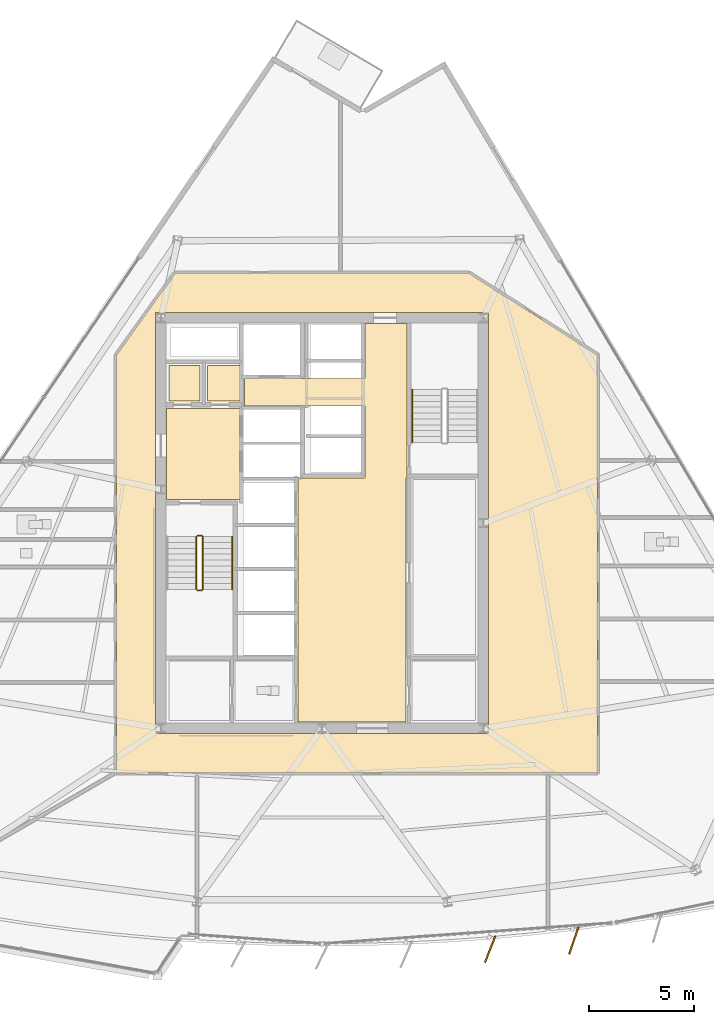
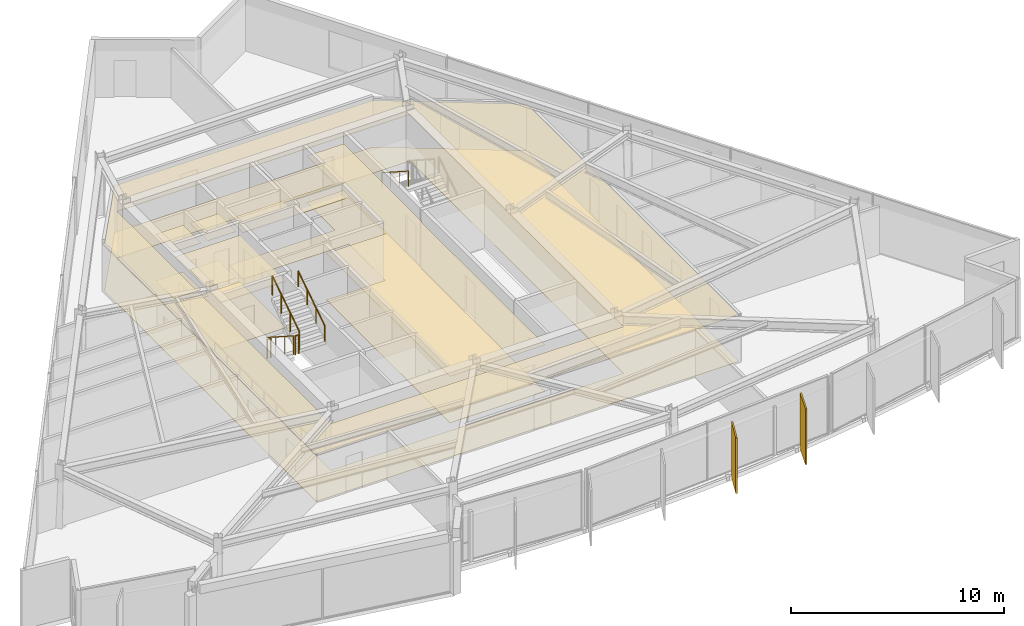
# One storey, part 13 of 16: 10 coverings, 6 railings, 2 shading devices.
"""IFC4 building model written with IfcOpenShell, lengths in metres."""

from ifc_helpers import new_model, si_unit, direction, frame, origin, origin_2d, place, context, subcontext, project, spatial, polyline, rectangle, circle, outline, extrude, material, layer, layer_set, type_object, element, save


model = new_model("IFC4")

# Units and contexts
model_context = context("Model", 3, precision=1e-05, world=origin(), true_north=direction((0.0, 1.0)))
body_context = subcontext(model_context, "Body", "Model", "MODEL_VIEW")
ifc_project = project(units=[si_unit("LENGTHUNIT", "METRE"), si_unit("AREAUNIT", "SQUARE_METRE"), si_unit("VOLUMEUNIT", "CUBIC_METRE"), si_unit("PLANEANGLEUNIT", "RADIAN"), si_unit("MASSUNIT", "GRAM", prefix="KILO")], contexts=[model_context])

# Site, building, storey
site_placement = place(None, origin())
site = spatial("IfcSite", under=ifc_project, at=site_placement, CompositionType="ELEMENT")
building_placement = place(site_placement, origin())
building = spatial("IfcBuilding", under=site, at=building_placement, Name="Savorim Split Tower", CompositionType="ELEMENT")
storey_placement = place(building_placement, frame((0.0, 0.0, 153.0)))
storey = spatial("IfcBuildingStorey", under=building, at=storey_placement, Name="L40", CompositionType="ELEMENT", Elevation=153.0)

# Coverings
ifc_material_1 = material(Name="Mineral Fibre Acoustic Ceiling")
ifc_layer_1 = layer(ifc_material_1, 0.02490234375)
ifc_layer_set_1 = layer_set([ifc_layer_1], Name="COV-CEIL-25")
covering_type_1 = type_object("IfcCoveringType", Name="COV-CEIL-25", PredefinedType="CEILING", material=ifc_layer_set_1)
covering_1_placement = place(storey_placement, frame((0.0, 0.0, 2.669921875)))
element("IfcCovering", 1, at=covering_1_placement, inside=storey, type_object=covering_type_1, Name="L40 Firefighting Lift Lobby Acoustic Ceiling", PredefinedType="CEILING", context=body_context, shape_type="SweptSolid", body=[
    extrude(outline(polyline([(-7.429931640625, 5.8701171875), (-7.429931640625, 1.530029296875), (-3.929931640625, 1.530029296875), (-3.929931640625, 5.8701171875), (-7.429931640625, 5.8701171875)])), origin(), (0.0, 0.0, 1.0), 0.025146484375),
])
covering_2_placement = place(storey_placement, frame((0.0, 0.0, 2.669921875)))
element("IfcCovering", 2, at=covering_2_placement, inside=storey, type_object=covering_type_1, Name="L40 Electrical Riser Acoustic Ceiling", PredefinedType="CEILING", context=body_context, shape_type="SweptSolid", body=[
    extrude(outline(polyline([(-7.320068359375, 7.919921875), (-7.320068359375, 6.22998046875), (-5.830078125, 6.22998046875), (-5.830078125, 7.919921875), (-7.320068359375, 7.919921875)])), origin(), (0.0, 0.0, 1.0), 0.025146484375),
])
covering_3_placement = place(storey_placement, frame((0.0, 0.0, 2.669921875)))
element("IfcCovering", 3, at=covering_3_placement, inside=storey, type_object=covering_type_1, Name="L40 Telecom Riser Acoustic Ceiling", PredefinedType="CEILING", context=body_context, shape_type="SweptSolid", body=[
    extrude(outline(polyline([(-5.469970703125, 7.919921875), (-5.469970703125, 6.22998046875), (-3.929931640625, 6.22998046875), (-3.929931640625, 7.919921875), (-5.469970703125, 7.919921875)])), origin(), (0.0, 0.0, 1.0), 0.025146484375),
])
covering_4_placement = place(storey_placement, frame((0.0, 0.0, 2.669921875)))
element("IfcCovering", 4, at=covering_4_placement, inside=storey, type_object=covering_type_1, Name="L40 Lift Lobby Acoustic Ceiling", PredefinedType="CEILING", context=body_context, shape_type="SweptSolid", body=[
    extrude(outline(polyline([(2.050048828125, 2.550048828125), (-1.14990234375, 2.550048828125), (-1.14990234375, -9.10009765625), (4.0, -9.10009765625), (4.0, 2.550048828125), (4.050048828125, 2.550048828125), (4.050048828125, 5.97998046875), (4.050048828125, 7.300048828125), (4.050048828125, 9.929931640625), (2.050048828125, 9.929931640625), (2.050048828125, 7.300048828125), (-3.699951171875, 7.300048828125), (-3.699951171875, 5.97998046875), (2.050048828125, 5.97998046875), (2.050048828125, 2.550048828125)])), origin(), (0.0, 0.0, 1.0), 0.025146484375),
])
covering_5_placement = place(storey_placement, frame((0.0, 0.0, 2.669921875)))
element("IfcCovering", 5, at=covering_5_placement, inside=storey, type_object=covering_type_1, Name="L40 Corridor Acoustic Ceiling", PredefinedType="CEILING", context=body_context, shape_type="SweptSolid", body=[
    extrude(outline(polyline([(7.009521484375, 12.3291015625), (7.004638671875, 12.329833984375), (7.0, 12.330078125), (-7.0, 12.330078125), (-7.004638671875, 12.329833984375), (-7.009521484375, 12.3291015625), (-7.013916015625, 12.327880859375), (-7.0185546875, 12.326416015625), (-7.022705078125, 12.324462890625), (-7.027099609375, 12.322021484375), (-7.03076171875, 12.3193359375), (-7.034423828125, 12.31640625), (-7.03759765625, 12.312744140625), (-7.04052734375, 12.30908203125), (-9.820556640625, 8.42919921875), (-9.823486328125, 8.4248046875), (-9.82568359375, 8.420166015625), (-9.82763671875, 8.415283203125), (-9.828857421875, 8.410400390625), (-9.82958984375, 8.4052734375), (-9.830078125, 8.39990234375), (-9.830078125, -11.47998046875), (-9.829833984375, -11.48486328125), (-9.8291015625, -11.48974609375), (-9.827880859375, -11.494384765625), (-9.826171875, -11.4990234375), (-9.82421875, -11.503662109375), (-9.821533203125, -11.5078125), (-9.818603515625, -11.51171875), (-9.8154296875, -11.515380859375), (-9.811767578125, -11.518798828125), (-9.807861328125, -11.521484375), (-9.8037109375, -11.524169921875), (-9.799072265625, -11.526123046875), (-9.79443359375, -11.52783203125), (-9.789794921875, -11.529052734375), (-9.784912109375, -11.52978515625), (-9.780029296875, -11.530029296875), (13.10009765625, -11.530029296875), (13.10498046875, -11.52978515625), (13.10986328125, -11.529052734375), (13.114501953125, -11.52783203125), (13.119140625, -11.526123046875), (13.12353515625, -11.524169921875), (13.127685546875, -11.521484375), (13.131591796875, -11.518798828125), (13.135498046875, -11.515380859375), (13.138671875, -11.51171875), (13.1416015625, -11.5078125), (13.14404296875, -11.503662109375), (13.146240234375, -11.4990234375), (13.147705078125, -11.494384765625), (13.14892578125, -11.48974609375), (13.14990234375, -11.48486328125), (13.14990234375, -11.47998046875), (13.14990234375, 8.39990234375), (13.149658203125, 8.405029296875), (13.14892578125, 8.409912109375), (13.147705078125, 8.414794921875), (13.14599609375, 8.41943359375), (13.143798828125, 8.424072265625), (13.14111328125, 8.42822265625), (13.13818359375, 8.432373046875), (13.134765625, 8.43603515625), (13.130859375, 8.439208984375), (13.126708984375, 8.442138671875), (7.02685546875, 12.322265625), (7.022705078125, 12.324462890625), (7.018310546875, 12.326416015625), (7.013916015625, 12.327880859375), (7.009521484375, 12.3291015625)]), holes=[polyline([(-7.949951171875, 10.449951171875), (-7.949951171875, -9.64990234375), (7.949951171875, -9.64990234375), (7.949951171875, 10.449951171875), (-7.949951171875, 10.449951171875)])]), origin(), (0.0, 0.0, 1.0), 0.025146484375),
])
ifc_material_2 = material(Name="Porcelain Stoneware Flooring", Category="masonry")
ifc_layer_2 = layer(ifc_material_2, 0.02001953125)
ifc_layer_set_2 = layer_set([ifc_layer_2], Name="COV-FLOR-20")
covering_type_2 = type_object("IfcCoveringType", Name="COV-FLOR-20", PredefinedType="FLOORING", material=ifc_layer_set_2)
covering_6_placement = place(storey_placement, origin())
element("IfcCovering", 6, at=covering_6_placement, inside=storey, type_object=covering_type_2, Name="L40 Firefighting Lift Lobby Porcelain Flooring", PredefinedType="FLOORING", context=body_context, shape_type="SweptSolid", body=[
    extrude(outline(polyline([(-7.429931640625, 5.8701171875), (-7.429931640625, 1.530029296875), (-3.929931640625, 1.530029296875), (-3.929931640625, 5.8701171875), (-7.429931640625, 5.8701171875)])), origin(), (0.0, 0.0, 1.0), 0.02001953125),
])
covering_7_placement = place(storey_placement, origin())
element("IfcCovering", 7, at=covering_7_placement, inside=storey, type_object=covering_type_2, Name="L40 Electrical Riser Porcelain Flooring", PredefinedType="FLOORING", context=body_context, shape_type="SweptSolid", body=[
    extrude(outline(polyline([(-7.320068359375, 7.919921875), (-7.320068359375, 6.22998046875), (-5.830078125, 6.22998046875), (-5.830078125, 7.919921875), (-7.320068359375, 7.919921875)])), origin(), (0.0, 0.0, 1.0), 0.02001953125),
])
covering_8_placement = place(storey_placement, origin())
element("IfcCovering", 8, at=covering_8_placement, inside=storey, type_object=covering_type_2, Name="L40 Telecom Riser Porcelain Flooring", PredefinedType="FLOORING", context=body_context, shape_type="SweptSolid", body=[
    extrude(outline(polyline([(-5.469970703125, 7.919921875), (-5.469970703125, 6.22998046875), (-3.929931640625, 6.22998046875), (-3.929931640625, 7.919921875), (-5.469970703125, 7.919921875)])), origin(), (0.0, 0.0, 1.0), 0.02001953125),
])
covering_9_placement = place(storey_placement, origin())
element("IfcCovering", 9, at=covering_9_placement, inside=storey, type_object=covering_type_2, Name="L40 Lift Lobby Porcelain Flooring", PredefinedType="FLOORING", context=body_context, shape_type="SweptSolid", body=[
    extrude(outline(polyline([(2.050048828125, 2.550048828125), (-1.14990234375, 2.550048828125), (-1.14990234375, -9.10009765625), (4.0, -9.10009765625), (4.0, 2.550048828125), (4.050048828125, 2.550048828125), (4.050048828125, 5.97998046875), (4.050048828125, 7.300048828125), (4.050048828125, 9.929931640625), (2.050048828125, 9.929931640625), (2.050048828125, 7.300048828125), (-3.699951171875, 7.300048828125), (-3.699951171875, 5.97998046875), (2.050048828125, 5.97998046875), (2.050048828125, 2.550048828125)])), origin(), (0.0, 0.0, 1.0), 0.02001953125),
])
covering_10_placement = place(storey_placement, origin())
element("IfcCovering", 10, at=covering_10_placement, inside=storey, type_object=covering_type_2, Name="L40 Corridor Porcelain Flooring", PredefinedType="FLOORING", context=body_context, shape_type="SweptSolid", body=[
    extrude(outline(polyline([(7.009521484375, 12.3291015625), (7.004638671875, 12.329833984375), (7.0, 12.330078125), (-7.0, 12.330078125), (-7.004638671875, 12.329833984375), (-7.009521484375, 12.3291015625), (-7.013916015625, 12.327880859375), (-7.0185546875, 12.326416015625), (-7.022705078125, 12.324462890625), (-7.027099609375, 12.322021484375), (-7.03076171875, 12.3193359375), (-7.034423828125, 12.31640625), (-7.03759765625, 12.312744140625), (-7.04052734375, 12.30908203125), (-9.820556640625, 8.42919921875), (-9.823486328125, 8.4248046875), (-9.82568359375, 8.420166015625), (-9.82763671875, 8.415283203125), (-9.828857421875, 8.410400390625), (-9.82958984375, 8.4052734375), (-9.830078125, 8.39990234375), (-9.830078125, -11.47998046875), (-9.829833984375, -11.48486328125), (-9.8291015625, -11.48974609375), (-9.827880859375, -11.494384765625), (-9.826171875, -11.4990234375), (-9.82421875, -11.503662109375), (-9.821533203125, -11.5078125), (-9.818603515625, -11.51171875), (-9.8154296875, -11.515380859375), (-9.811767578125, -11.518798828125), (-9.807861328125, -11.521484375), (-9.8037109375, -11.524169921875), (-9.799072265625, -11.526123046875), (-9.79443359375, -11.52783203125), (-9.789794921875, -11.529052734375), (-9.784912109375, -11.52978515625), (-9.780029296875, -11.530029296875), (13.10009765625, -11.530029296875), (13.10498046875, -11.52978515625), (13.10986328125, -11.529052734375), (13.114501953125, -11.52783203125), (13.119140625, -11.526123046875), (13.12353515625, -11.524169921875), (13.127685546875, -11.521484375), (13.131591796875, -11.518798828125), (13.135498046875, -11.515380859375), (13.138671875, -11.51171875), (13.1416015625, -11.5078125), (13.14404296875, -11.503662109375), (13.146240234375, -11.4990234375), (13.147705078125, -11.494384765625), (13.14892578125, -11.48974609375), (13.14990234375, -11.48486328125), (13.14990234375, -11.47998046875), (13.14990234375, 8.39990234375), (13.149658203125, 8.405029296875), (13.14892578125, 8.409912109375), (13.147705078125, 8.414794921875), (13.14599609375, 8.41943359375), (13.143798828125, 8.424072265625), (13.14111328125, 8.42822265625), (13.13818359375, 8.432373046875), (13.134765625, 8.43603515625), (13.130859375, 8.439208984375), (13.126708984375, 8.442138671875), (7.02685546875, 12.322265625), (7.022705078125, 12.324462890625), (7.018310546875, 12.326416015625), (7.013916015625, 12.327880859375), (7.009521484375, 12.3291015625)]), holes=[polyline([(-7.949951171875, 10.449951171875), (-7.949951171875, -9.64990234375), (7.949951171875, -9.64990234375), (7.949951171875, 10.449951171875), (-7.949951171875, 10.449951171875)])]), origin(), (0.0, 0.0, 1.0), 0.02001953125),
])

# Railings
ifc_material_3 = material(Name="Galvanised Painted Steel Balustrade", Category="steel")
railing_type_1 = type_object("IfcRailingType", Name="RLG-HR-900", PredefinedType="HANDRAIL", material=ifc_material_3)
railing_1_placement = place(storey_placement, frame((-4.300048828125, -2.77001953125, 1.97998046875)))
element("IfcRailing", 11, at=railing_1_placement, inside=storey, type_object=railing_type_1, Name="L40 ST-1 stair handrail 2", PredefinedType="HANDRAIL", context=body_context, shape_type="SweptSolid", body=[
    extrude(circle(Radius=0.02392578125, at=origin_2d()), frame((0.0, 0.0, 0.8759765625), z_axis=(0.0, 0.841162588446, 0.540782303519), x_axis=(-1.0, 0.0, 0.0)), (0.0, 0.0, 1.0), 2.995849609375),
    extrude(circle(Radius=0.02099609375, at=origin_2d()), origin(), (0.0, 0.0, 1.0), 0.851806640625),
    extrude(circle(Radius=0.02099609375, at=origin_2d()), frame((0.0, 0.840087890625, 0.5400390625)), (0.0, 0.0, 1.0), 0.851806640625),
    extrude(circle(Radius=0.02099609375, at=origin_2d()), frame((0.0, 1.679931640625, 1.080078125)), (0.0, 0.0, 1.0), 0.851806640625),
    extrude(circle(Radius=0.02099609375, at=origin_2d()), frame((0.0, 2.52001953125, 1.6201171875)), (0.0, 0.0, 1.0), 0.851806640625),
])
railing_2_placement = place(storey_placement, frame((4.300048828125, 6.77001953125, 1.97998046875)))
element("IfcRailing", 12, at=railing_2_placement, inside=storey, type_object=railing_type_1, Name="L40 ST-2 stair handrail 2", PredefinedType="HANDRAIL", context=body_context, shape_type="SweptSolid", body=[
    extrude(circle(Radius=0.02392578125, at=origin_2d()), frame((0.0, 0.0, 0.8759765625), z_axis=(0.0, -0.841162588446, 0.540782303519), x_axis=(1.0, 0.0, 0.0)), (0.0, 0.0, 1.0), 2.995849609375),
    extrude(circle(Radius=0.02099609375, at=origin_2d()), origin(), (0.0, 0.0, 1.0), 0.851806640625),
    extrude(circle(Radius=0.02099609375, at=origin_2d()), frame((0.0, -0.840087890625, 0.5400390625)), (0.0, 0.0, 1.0), 0.851806640625),
    extrude(circle(Radius=0.02099609375, at=origin_2d()), frame((0.0, -1.679931640625, 1.080078125)), (0.0, 0.0, 1.0), 0.851806640625),
    extrude(circle(Radius=0.02099609375, at=origin_2d()), frame((0.0, -2.52001953125, 1.6201171875)), (0.0, 0.0, 1.0), 0.851806640625),
])
railing_type_2 = type_object("IfcRailingType", Name="RLG-STG-1100", PredefinedType="BALUSTRADE", material=ifc_material_3)
railing_3_placement = place(storey_placement, frame((-6.0, -0.25, 0.179931640625)))
element("IfcRailing", 13, at=railing_3_placement, inside=storey, type_object=railing_type_2, Name="L40 ST-1 stair guard 1", PredefinedType="BALUSTRADE", context=body_context, shape_type="SweptSolid", body=[
    extrude(circle(Radius=0.02392578125, at=origin_2d()), frame((0.0, 0.0, 1.076171875), z_axis=(0.0, -0.841162588446, 0.540782303519), x_axis=(1.0, 0.0, 0.0)), (0.0, 0.0, 1.0), 2.995849609375),
    extrude(circle(Radius=0.02099609375, at=origin_2d()), origin(), (0.0, 0.0, 1.0), 1.052001953125),
    extrude(circle(Radius=0.02099609375, at=origin_2d()), frame((0.0, -0.840087890625, 0.5400390625)), (0.0, 0.0, 1.0), 1.052001953125),
    extrude(circle(Radius=0.02099609375, at=origin_2d()), frame((0.0, -1.679931640625, 1.080078125)), (0.0, 0.0, 1.0), 1.052001953125),
    extrude(circle(Radius=0.02099609375, at=origin_2d()), frame((0.0, -2.52001953125, 1.6201171875)), (0.0, 0.0, 1.0), 1.052001953125),
])
railing_4_placement = place(storey_placement, frame((-5.949951171875, -2.820068359375, 1.800048828125)))
element("IfcRailing", 14, at=railing_4_placement, inside=storey, type_object=railing_type_2, Name="L40 ST-1 stair guard 2", PredefinedType="BALUSTRADE", context=body_context, shape_type="SweptSolid", body=[
    extrude(circle(Radius=0.02392578125, at=origin_2d()), frame((0.0, 0.0, 1.076171875), z_axis=(1.0, 0.0, 0.0), x_axis=(0.0, 1.0, 0.0)), (0.0, 0.0, 1.0), 0.199951171875),
    extrude(circle(Radius=0.02099609375, at=origin_2d()), origin(), (0.0, 0.0, 1.0), 1.052001953125),
    extrude(circle(Radius=0.02099609375, at=origin_2d()), frame((0.199951171875, 0.0, 0.0)), (0.0, 0.0, 1.0), 1.052001953125),
])
railing_5_placement = place(storey_placement, frame((-5.699951171875, -2.77001953125, 1.97998046875)))
element("IfcRailing", 15, at=railing_5_placement, inside=storey, type_object=railing_type_2, Name="L40 ST-1 stair guard 3", PredefinedType="BALUSTRADE", context=body_context, shape_type="SweptSolid", body=[
    extrude(circle(Radius=0.02392578125, at=origin_2d()), frame((0.0, 0.0, 1.076171875), z_axis=(0.0, 0.841162588446, 0.540782303519), x_axis=(-1.0, 0.0, 0.0)), (0.0, 0.0, 1.0), 2.995849609375),
    extrude(circle(Radius=0.02099609375, at=origin_2d()), origin(), (0.0, 0.0, 1.0), 1.052001953125),
    extrude(circle(Radius=0.02099609375, at=origin_2d()), frame((0.0, 0.840087890625, 0.5400390625)), (0.0, 0.0, 1.0), 1.052001953125),
    extrude(circle(Radius=0.02099609375, at=origin_2d()), frame((0.0, 1.679931640625, 1.080078125)), (0.0, 0.0, 1.0), 1.052001953125),
    extrude(circle(Radius=0.02099609375, at=origin_2d()), frame((0.0, 2.52001953125, 1.6201171875)), (0.0, 0.0, 1.0), 1.052001953125),
])
railing_6_placement = place(storey_placement, frame((-5.949951171875, -0.199951171875, 0.0)))
element("IfcRailing", 16, at=railing_6_placement, inside=storey, type_object=railing_type_2, Name="L40 ST-1 stair guard 4", PredefinedType="BALUSTRADE", context=body_context, shape_type="SweptSolid", body=[
    extrude(circle(Radius=0.02392578125, at=origin_2d()), frame((0.0, 0.0, 1.076171875), z_axis=(1.0, 0.0, 0.0), x_axis=(0.0, 1.0, 0.0)), (0.0, 0.0, 1.0), 0.199951171875),
    extrude(circle(Radius=0.02099609375, at=origin_2d()), origin(), (0.0, 0.0, 1.0), 1.052001953125),
    extrude(circle(Radius=0.02099609375, at=origin_2d()), frame((0.199951171875, 0.0, 0.0)), (0.0, 0.0, 1.0), 1.052001953125),
])

# Shading devices
ifc_material_4 = material(Name="Terracotta Ceramic-Coated Aluminium Fin", Category="masonry")
shading_device_type = type_object("IfcShadingDeviceType", Name="SHD-FIN-1360", PredefinedType="USERDEFINED", material=ifc_material_4)
for number, where, z_axis, x_axis, name in (
    (17, (8.0234375, -19.948974609375, -0.2001953125), (0.0, 0.0, 1.0), (-0.363415461732, -0.931627179817, 0.0), "L40 Sawtooth Shading Fin 09"),
    (18, (12.0185546875, -19.538818359375, -0.2001953125), (0.0, 0.0, 1.0), (-0.324993810493, -0.945716143005, 0.0), "L40 Sawtooth Shading Fin 10"),
):
    element("IfcShadingDevice", number, at=place(storey_placement, frame(where, z_axis=z_axis, x_axis=x_axis)), inside=storey, type_object=shading_device_type, Name=name, ObjectType="FIN", PredefinedType="USERDEFINED", context=body_context, shape_type="SweptSolid", body=[
        extrude(rectangle(XDim=1.360107421875, YDim=0.080078125, at=origin_2d()), origin(), (0.0, 0.0, 1.0), 3.199951171875),
    ])

save(model, "model.ifc")
